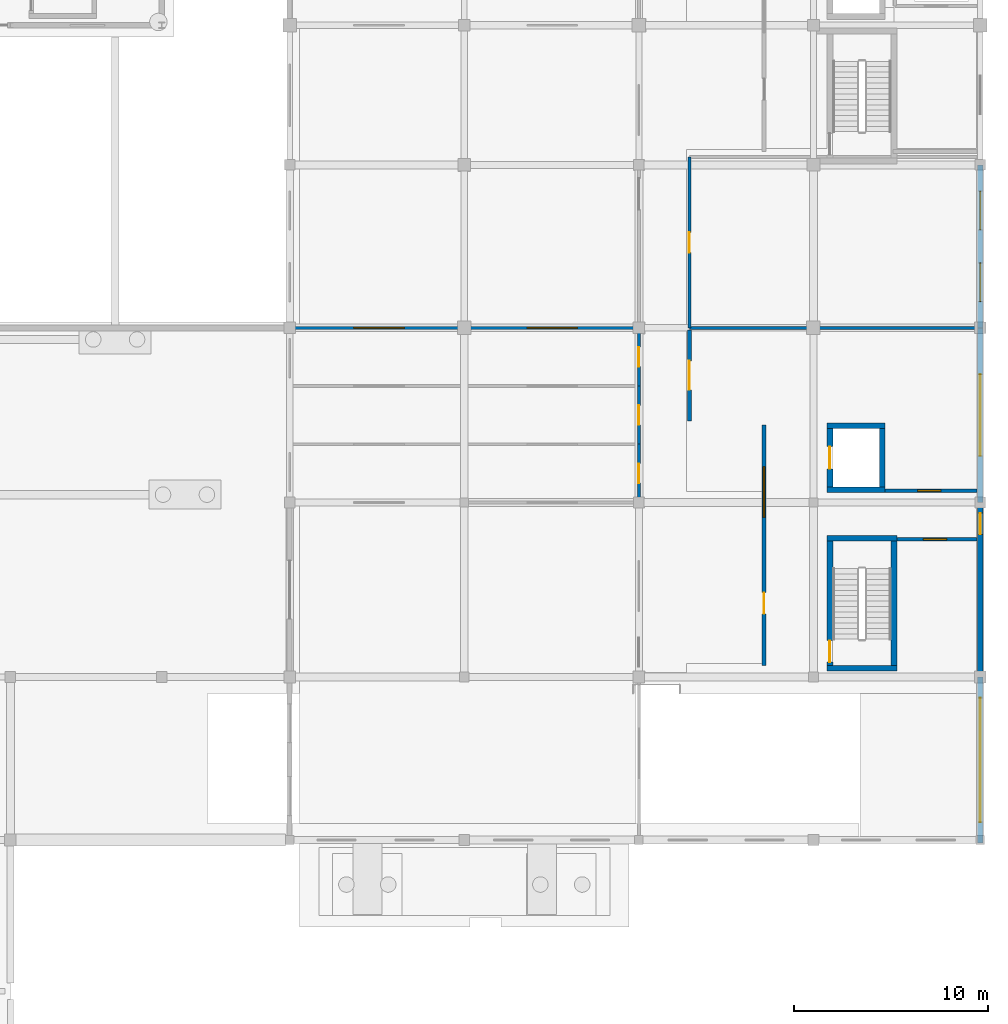
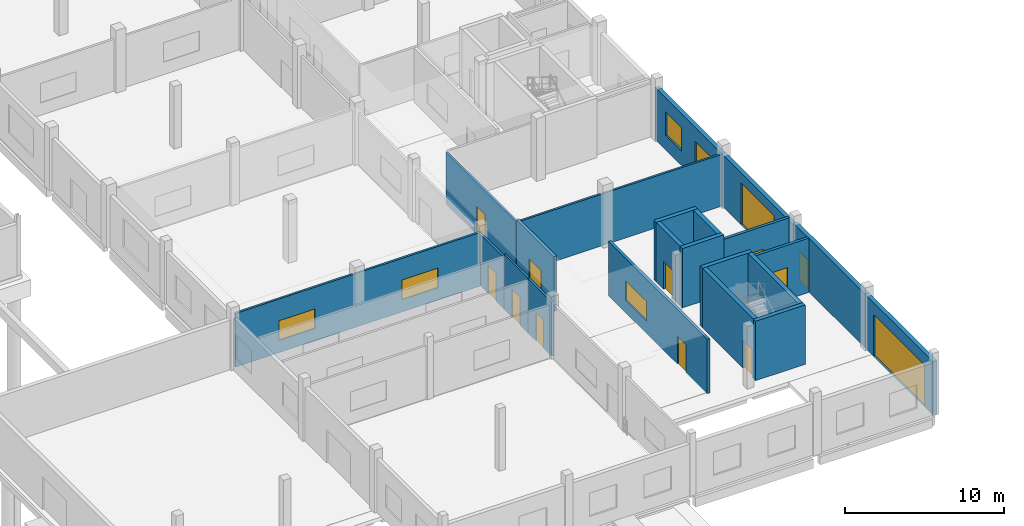
# One storey, part 74 of 91: 22 walls, 11 doors, 7 windows, 18 openings.
"""IFC4 building model written with IfcOpenShell, lengths in metres."""

from ifc_helpers import new_model, si_unit, direction, frame, frame_2d, origin, place, context, subcontext, project, spatial, rectangle, extrude, material, layer, layer_set, type_object, element, fill, save


model = new_model("IFC4")

# Units and contexts
model_context = context("Model", 3, precision=1e-05, world=origin(), true_north=direction((0.0, 1.0)))
body_context = subcontext(model_context, "Body", "Model", "MODEL_VIEW")
ifc_project = project(units=[si_unit("LENGTHUNIT", "METRE"), si_unit("AREAUNIT", "SQUARE_METRE"), si_unit("VOLUMEUNIT", "CUBIC_METRE"), si_unit("PLANEANGLEUNIT", "RADIAN"), si_unit("MASSUNIT", "GRAM", prefix="KILO")], contexts=[model_context])

# Site, building, storey
site_placement = place(None, origin())
site = spatial("IfcSite", under=ifc_project, at=site_placement, CompositionType="ELEMENT")
building_placement = place(site_placement, origin())
building = spatial("IfcBuilding", under=site, at=building_placement, Name="Vinh Khe Railworks Police Headquarters", CompositionType="ELEMENT")
storey_placement = place(building_placement, origin())
storey = spatial("IfcBuildingStorey", under=building, at=storey_placement, Name="L00", CompositionType="ELEMENT", Elevation=0.0)

# Walls
ifc_material_1 = material(Name="Concrete C40/50 (B40)", Category="concrete")
ifc_layer_1 = layer(ifc_material_1, 0.300048828125)
ifc_layer_set_1 = layer_set([ifc_layer_1], Name="Concrete C40/50 (B40)")
wall_type_1 = type_object("IfcWallType", Name="Core Shear Wall 300", PredefinedType="SHEAR", material=ifc_layer_set_1)
for number, where, z_axis, x_axis, name in (
    (1, (105.699951171875, 104.85009765625, 0.0), (0.0, 0.0, 1.0), (1.0, 0.0, 0.0), "Core C4 STAIR-S Shear Wall (L00)"),
    (2, (105.699951171875, 111.550048828125, 0.0), (0.0, 0.0, 1.0), (1.0, 0.0, 0.0), "Core C4 STAIR-N Shear Wall (L00)"),
):
    element("IfcWall", number, at=place(storey_placement, frame(where, z_axis=z_axis, x_axis=x_axis)), inside=storey, type_object=wall_type_1, Name=name, PredefinedType="SHEAR", context=body_context, shape_type="SweptSolid", body=[
        extrude(rectangle(XDim=3.60009765625, YDim=0.300048828125, at=frame_2d((1.800048828125, 0.0))), origin(), (0.0, 0.0, 1.0), 4.56005859375),
    ])

# Wall, opening, door
wall_1_placement = place(storey_placement, frame((105.85009765625, 105.0, 0.0), z_axis=(0.0, 0.0, 1.0), x_axis=(0.0, 1.0, 0.0)))
wall_1 = element("IfcWall", 3, at=wall_1_placement, inside=storey, type_object=wall_type_1, Name="Core C4 STAIR-W Shear Wall (L00)", PredefinedType="SHEAR", context=body_context, shape_type="SweptSolid", body=[
    extrude(rectangle(XDim=6.39990234375, YDim=0.300048828125, at=frame_2d((3.199951171875, 0.0))), origin(), (0.0, 0.0, 1.0), 4.56005859375),
])
opening_1_placement = place(wall_1_placement, frame((0.169921875, 0.0, 0.0)))
opening_1 = element("IfcOpeningElement", 4, at=opening_1_placement, cuts=wall_1, Name="Opening FD-01", PredefinedType="OPENING", context=body_context, shape_type="SweptSolid", body=[
    extrude(rectangle(XDim=1.10009765625, YDim=2.14990234375, at=frame_2d((0.550048828125, 1.074951171875))), frame((0.0, 0.1650390625, 0.0), z_axis=(0.0, -1.0, 0.0), x_axis=(1.0, 0.0, 0.0)), (0.0, 0.0, 1.0), 0.329833984375),
])
ifc_material_2 = material(Name="Painted galvanised steel", Category="steel")
door_type_1 = type_object("IfcDoorType", Name="FD-1100x2150", OperationType="NOTDEFINED", PredefinedType="DOOR", material=ifc_material_2)
door_1_placement = place(opening_1_placement, origin())
door_1 = element("IfcDoor", 5, at=door_1_placement, inside=storey, type_object=door_type_1, Name="Escape Stair ST-04 Fire Door L00", OperationType="SINGLE_SWING_RIGHT", OverallHeight=2.14990234375, OverallWidth=1.10009765625, PredefinedType="DOOR", context=body_context, shape_type="SweptSolid", body=[
    extrude(rectangle(XDim=1.10009765625, YDim=2.14990234375, at=frame_2d((0.550048828125, 1.074951171875))), frame((0.0, 0.02490234375, 0.0), z_axis=(0.0, -1.0, 0.0), x_axis=(1.0, 0.0, 0.0)), (0.0, 0.0, 1.0), 0.050048828125),
])
fill(opening_1, door_1)

# Walls
wall_2_placement = place(storey_placement, frame((109.14990234375, 105.0, 0.0), z_axis=(0.0, 0.0, 1.0), x_axis=(0.0, 1.0, 0.0)))
element("IfcWall", 6, at=wall_2_placement, inside=storey, type_object=wall_type_1, Name="Core C4 STAIR-E Shear Wall (L00)", PredefinedType="SHEAR", context=body_context, shape_type="SweptSolid", body=[
    extrude(rectangle(XDim=6.39990234375, YDim=0.300048828125, at=frame_2d((3.199951171875, 0.0))), origin(), (0.0, 0.0, 1.0), 4.56005859375),
])
for number, where, z_axis, x_axis, name in (
    (7, (105.699951171875, 114.050048828125, 0.0), (0.0, 0.0, 1.0), (1.0, 0.0, 0.0), "Core C4 PL-S Lift Shaft Wall (L00)"),
    (8, (105.699951171875, 117.35009765625, 0.0), (0.0, 0.0, 1.0), (1.0, 0.0, 0.0), "Core C4 PL-N Lift Shaft Wall (L00)"),
):
    element("IfcWall", number, at=place(storey_placement, frame(where, z_axis=z_axis, x_axis=x_axis)), inside=storey, type_object=wall_type_1, Name=name, PredefinedType="SHEAR", context=body_context, shape_type="SweptSolid", body=[
        extrude(rectangle(XDim=3.0, YDim=0.300048828125, at=frame_2d((1.5, 0.0))), origin(), (0.0, 0.0, 1.0), 4.56005859375),
    ])

# Wall, opening, door
wall_3_placement = place(storey_placement, frame((105.85009765625, 114.199951171875, 0.0), z_axis=(0.0, 0.0, 1.0), x_axis=(0.0, 1.0, 0.0)))
wall_3 = element("IfcWall", 9, at=wall_3_placement, inside=storey, type_object=wall_type_1, Name="Core C4 PL-W Lift Shaft Wall (L00)", PredefinedType="SHEAR", context=body_context, shape_type="SweptSolid", body=[
    extrude(rectangle(XDim=3.0, YDim=0.300048828125, at=frame_2d((1.5, 0.0))), origin(), (0.0, 0.0, 1.0), 4.56005859375),
])
opening_2_placement = place(wall_3_placement, frame((0.925048828125, 0.0, 0.0)))
opening_2 = element("IfcOpeningElement", 10, at=opening_2_placement, cuts=wall_3, Name="Opening LD-03", PredefinedType="OPENING", context=body_context, shape_type="SweptSolid", body=[
    extrude(rectangle(XDim=1.14990234375, YDim=2.14990234375, at=frame_2d((0.574951171875, 1.074951171875))), frame((0.0, 0.1650390625, 0.0), z_axis=(0.0, -1.0, 0.0), x_axis=(1.0, 0.0, 0.0)), (0.0, 0.0, 1.0), 0.329833984375),
])
door_type_2 = type_object("IfcDoorType", Name="LD-CUST-1150", OperationType="SLIDING_TO_LEFT", PredefinedType="DOOR", material=ifc_material_2)
door_2_placement = place(opening_2_placement, origin())
door_2 = element("IfcDoor", 11, at=door_2_placement, inside=storey, type_object=door_type_2, Name="Lift Landing Door CL-01 L00", OperationType="SLIDING_TO_LEFT", OverallHeight=2.14990234375, OverallWidth=1.14990234375, PredefinedType="DOOR", context=body_context, shape_type="SweptSolid", body=[
    extrude(rectangle(XDim=1.14990234375, YDim=2.14990234375, at=frame_2d((0.574951171875, 1.074951171875))), frame((0.0, 0.02490234375, 0.0), z_axis=(0.0, -1.0, 0.0), x_axis=(1.0, 0.0, 0.0)), (0.0, 0.0, 1.0), 0.050048828125),
])
fill(opening_2, door_2)

# Wall
wall_4_placement = place(storey_placement, frame((108.550048828125, 114.199951171875, 0.0), z_axis=(0.0, 0.0, 1.0), x_axis=(0.0, 1.0, 0.0)))
element("IfcWall", 12, at=wall_4_placement, inside=storey, type_object=wall_type_1, Name="Core C4 PL-E Lift Shaft Wall (L00)", PredefinedType="SHEAR", context=body_context, shape_type="SweptSolid", body=[
    extrude(rectangle(XDim=3.0, YDim=0.300048828125, at=frame_2d((1.5, 0.0))), origin(), (0.0, 0.0, 1.0), 4.56005859375),
])

# Wall, opening, door
ifc_material_3 = material(Name="Clay brickwork", Category="masonry")
ifc_layer_2 = layer(ifc_material_3, 0.300048828125)
ifc_layer_set_2 = layer_set([ifc_layer_2], Name="Clay brickwork")
wall_type_2 = type_object("IfcWallType", Name="EW-BRK-300", PredefinedType="SOLIDWALL", material=ifc_layer_set_2)
wall_5_placement = place(storey_placement, frame((113.60009765625, 95.85009765625, 0.0), z_axis=(0.0, 0.0, 1.0), x_axis=(0.0, 1.0, 0.0)))
wall_5 = element("IfcWall", 13, at=wall_5_placement, inside=storey, type_object=wall_type_2, Name="Exterior Brick Wall EW-L00-V6E-01", PredefinedType="SOLIDWALL", context=body_context, shape_type="SweptSolid", body=[
    extrude(rectangle(XDim=8.5498046875, YDim=0.300048828125, at=frame_2d((4.27490234375, 0.0))), origin(), (0.0, 0.0, 1.0), 4.114990234375),
])
opening_3_placement = place(wall_5_placement, frame((1.074951171875, 0.0, 0.0)))
opening_3 = element("IfcOpeningElement", 14, at=opening_3_placement, cuts=wall_5, Name="Opening VG-01", PredefinedType="OPENING", context=body_context, shape_type="SweptSolid", body=[
    extrude(rectangle(XDim=6.39990234375, YDim=3.199951171875, at=frame_2d((3.199951171875, 1.60009765625))), frame((0.0, 0.1650390625, 0.0), z_axis=(0.0, -1.0, 0.0), x_axis=(1.0, 0.0, 0.0)), (0.0, 0.0, 1.0), 0.329833984375),
])
ifc_material_4 = material(Name="Perforated galvanised steel roller shutter", Category="steel")
door_type_3 = type_object("IfcDoorType", Name="VG-RAMP-6400", OperationType="ROLLINGUP", PredefinedType="GATE", material=ifc_material_4)
door_3_placement = place(opening_3_placement, frame((6.39990234375, 0.0, 0.0), z_axis=(0.0, 0.0, 1.0), x_axis=(-1.0, 0.0, 0.0)))
door_3 = element("IfcDoor", 15, at=door_3_placement, inside=storey, type_object=door_type_3, Name="Secure Vehicle Ramp Roller Shutter Gate VG-01", OperationType="ROLLINGUP", OverallHeight=3.199951171875, OverallWidth=6.39990234375, PredefinedType="GATE", context=body_context, shape_type="SweptSolid", body=[
    extrude(rectangle(XDim=6.39990234375, YDim=3.199951171875, at=frame_2d((3.199951171875, 1.60009765625))), frame((0.0, 0.02490234375, 0.0), z_axis=(0.0, -1.0, 0.0), x_axis=(1.0, 0.0, 0.0)), (0.0, 0.0, 1.0), 0.050048828125),
])
fill(opening_3, door_3)

wall_6_placement = place(storey_placement, frame((113.60009765625, 104.39990234375, 0.0), z_axis=(0.0, 0.0, 1.0), x_axis=(0.0, 1.0, 0.0)))
wall_6 = element("IfcWall", 16, at=wall_6_placement, inside=storey, type_object=wall_type_2, Name="Exterior Brick Wall EW-L00-V6E-02", PredefinedType="SOLIDWALL", context=body_context, shape_type="SweptSolid", body=[
    extrude(rectangle(XDim=9.0, YDim=0.300048828125, at=frame_2d((4.5, 0.0))), origin(), (0.0, 0.0, 1.0), 4.114990234375),
])
opening_4_placement = place(wall_6_placement, frame((7.35009765625, 0.0, 0.0)))
opening_4 = element("IfcOpeningElement", 17, at=opening_4_placement, cuts=wall_6, Name="Opening ED-02", PredefinedType="OPENING", context=body_context, shape_type="SweptSolid", body=[
    extrude(rectangle(XDim=1.10009765625, YDim=2.199951171875, at=frame_2d((0.550048828125, 1.10009765625))), frame((0.0, 0.1650390625, 0.0), z_axis=(0.0, -1.0, 0.0), x_axis=(1.0, 0.0, 0.0)), (0.0, 0.0, 1.0), 0.329833984375),
])
ifc_material_5 = material(Name="Painted galvanised steel leaf", Category="steel")
door_type_4 = type_object("IfcDoorType", Name="ED-FCR-1100", OperationType="NOTDEFINED", PredefinedType="DOOR", material=ifc_material_5)
door_4_placement = place(opening_4_placement, frame((1.10009765625, 0.0, 0.0), z_axis=(0.0, 0.0, 1.0), x_axis=(-1.0, 0.0, 0.0)))
door_4 = element("IfcDoor", 18, at=door_4_placement, inside=storey, type_object=door_type_4, Name="Custody Core C4 Final Exit Door", OperationType="SINGLE_SWING_LEFT", OverallHeight=2.199951171875, OverallWidth=1.10009765625, PredefinedType="DOOR", context=body_context, shape_type="SweptSolid", body=[
    extrude(rectangle(XDim=1.10009765625, YDim=2.199951171875, at=frame_2d((0.550048828125, 1.10009765625))), frame((0.0, 0.02490234375, 0.0), z_axis=(0.0, -1.0, 0.0), x_axis=(1.0, 0.0, 0.0)), (0.0, 0.0, 1.0), 0.050048828125),
])
fill(opening_4, door_4)

wall_7_placement = place(storey_placement, frame((113.60009765625, 113.39990234375, 0.0), z_axis=(0.0, 0.0, 1.0), x_axis=(0.0, 1.0, 0.0)))
wall_7 = element("IfcWall", 19, at=wall_7_placement, inside=storey, type_object=wall_type_2, Name="Exterior Brick Wall EW-L00-V6E-03", PredefinedType="SOLIDWALL", context=body_context, shape_type="SweptSolid", body=[
    extrude(rectangle(XDim=9.0, YDim=0.300048828125, at=frame_2d((4.5, 0.0))), origin(), (0.0, 0.0, 1.0), 3.965087890625),
])
opening_5_placement = place(wall_7_placement, frame((2.39990234375, 0.0, 0.0)))
opening_5 = element("IfcOpeningElement", 20, at=opening_5_placement, cuts=wall_7, Name="Opening VG-02", PredefinedType="OPENING", context=body_context, shape_type="SweptSolid", body=[
    extrude(rectangle(XDim=4.199951171875, YDim=3.199951171875, at=frame_2d((2.10009765625, 1.60009765625))), frame((0.0, 0.1650390625, 0.0), z_axis=(0.0, -1.0, 0.0), x_axis=(1.0, 0.0, 0.0)), (0.0, 0.0, 1.0), 0.329833984375),
])
ifc_material_6 = material(Name="Heavy-duty ballistic steel sally-port roller gate", Category="steel")
door_type_5 = type_object("IfcDoorType", Name="VG-SALLY-4200", OperationType="ROLLINGUP", PredefinedType="GATE", material=ifc_material_6)
door_5_placement = place(opening_5_placement, frame((4.199951171875, 0.0, 0.0), z_axis=(0.0, 0.0, 1.0), x_axis=(-1.0, 0.0, 0.0)))
door_5 = element("IfcDoor", 21, at=door_5_placement, inside=storey, type_object=door_type_5, Name="Sally Port Vehicle Entry Roller Gate VG-02", OperationType="ROLLINGUP", OverallHeight=3.199951171875, OverallWidth=4.199951171875, PredefinedType="GATE", context=body_context, shape_type="SweptSolid", body=[
    extrude(rectangle(XDim=4.199951171875, YDim=3.199951171875, at=frame_2d((2.10009765625, 1.60009765625))), frame((0.0, 0.02490234375, 0.0), z_axis=(0.0, -1.0, 0.0), x_axis=(1.0, 0.0, 0.0)), (0.0, 0.0, 1.0), 0.050048828125),
])
fill(opening_5, door_5)

# Wall, openings, windows
wall_8_placement = place(storey_placement, frame((113.60009765625, 122.39990234375, 0.0), z_axis=(0.0, 0.0, 1.0), x_axis=(0.0, 1.0, 0.0)))
wall_8 = element("IfcWall", 22, at=wall_8_placement, inside=storey, type_object=wall_type_2, Name="Exterior Brick Wall EW-L00-V6E-04", PredefinedType="SOLIDWALL", context=body_context, shape_type="SweptSolid", body=[
    extrude(rectangle(XDim=8.400146484375, YDim=0.300048828125, at=frame_2d((4.2001953125, 0.0))), origin(), (0.0, 0.0, 1.0), 3.965087890625),
])
opening_6_placement = place(wall_8_placement, frame((1.35205078125, 0.0, 1.10009765625)))
opening_6 = element("IfcOpeningElement", 23, at=opening_6_placement, cuts=wall_8, Name="Opening WN-04", PredefinedType="OPENING", context=body_context, shape_type="SweptSolid", body=[
    extrude(rectangle(XDim=2.0, YDim=1.800048828125, at=frame_2d((1.0, 0.89990234375))), frame((0.0, 0.1650390625, 0.0), z_axis=(0.0, -1.0, 0.0), x_axis=(1.0, 0.0, 0.0)), (0.0, 0.0, 1.0), 0.329833984375),
])
opening_7_placement = place(wall_8_placement, frame((5.048095703125, 0.0, 1.10009765625)))
opening_7 = element("IfcOpeningElement", 24, at=opening_7_placement, cuts=wall_8, Name="Opening WN-04", PredefinedType="OPENING", context=body_context, shape_type="SweptSolid", body=[
    extrude(rectangle(XDim=2.0, YDim=1.800048828125, at=frame_2d((1.0, 0.89990234375))), frame((0.0, 0.1650390625, 0.0), z_axis=(0.0, -1.0, 0.0), x_axis=(1.0, 0.0, 0.0)), (0.0, 0.0, 1.0), 0.329833984375),
])
ifc_material_7 = material(Name="Double-glazed solar-control glass in dark steel frame", Category="steel")
window_type_1 = type_object("IfcWindowType", Name="WIN-WN-04", PartitioningType="DOUBLE_PANEL_VERTICAL", PredefinedType="WINDOW", material=ifc_material_7)
window_1_placement = place(opening_6_placement, origin())
window_1 = element("IfcWindow", 25, at=window_1_placement, inside=storey, type_object=window_type_1, Name="Casement Window WN-04", OverallHeight=1.800048828125, OverallWidth=2.0, PartitioningType="SINGLE_PANEL", PredefinedType="WINDOW", context=body_context, shape_type="SweptSolid", body=[
    extrude(rectangle(XDim=2.0, YDim=1.800048828125, at=frame_2d((1.0, 0.89990234375))), frame((0.0, 0.030029296875, 0.0), z_axis=(0.0, -1.0, 0.0), x_axis=(1.0, 0.0, 0.0)), (0.0, 0.0, 1.0), 0.06005859375),
])
fill(opening_6, window_1)
window_2_placement = place(opening_7_placement, origin())
window_2 = element("IfcWindow", 26, at=window_2_placement, inside=storey, type_object=window_type_1, Name="Casement Window WN-04", OverallHeight=1.800048828125, OverallWidth=2.0, PartitioningType="SINGLE_PANEL", PredefinedType="WINDOW", context=body_context, shape_type="SweptSolid", body=[
    extrude(rectangle(XDim=2.0, YDim=1.800048828125, at=frame_2d((1.0, 0.89990234375))), frame((0.0, 0.030029296875, 0.0), z_axis=(0.0, -1.0, 0.0), x_axis=(1.0, 0.0, 0.0)), (0.0, 0.0, 1.0), 0.06005859375),
])
fill(opening_7, window_2)

# Wall, openings, door, window
ifc_material_8 = material(Name="Autoclaved aerated concrete blockwork", Category="masonry")
ifc_layer_3 = layer(ifc_material_8, 0.199951171875)
ifc_layer_set_3 = layer_set([ifc_layer_3], Name="Autoclaved aerated concrete blockwork")
wall_type_3 = type_object("IfcWallType", Name="IW-BLK-200", PredefinedType="PARTITIONING", material=ifc_layer_set_3)
wall_9_placement = place(storey_placement, frame((102.449951171875, 105.0, 0.0), z_axis=(0.0, 0.0, 1.0), x_axis=(0.0, 1.0, 0.0)))
wall_9 = element("IfcWall", 27, at=wall_9_placement, inside=storey, type_object=wall_type_3, Name="Interior Partition W-C4LOB-W-L00", PredefinedType="PARTITIONING", context=body_context, shape_type="SweptSolid", body=[
    extrude(rectangle(XDim=12.39990234375, YDim=0.199951171875, at=frame_2d((6.199951171875, 0.0))), origin(), (0.0, 0.0, 1.0), 4.1650390625),
])
opening_8_placement = place(wall_9_placement, frame((2.64990234375, 0.0, 0.0)))
opening_8 = element("IfcOpeningElement", 28, at=opening_8_placement, cuts=wall_9, Name="Opening FD-01", PredefinedType="OPENING", context=body_context, shape_type="SweptSolid", body=[
    extrude(rectangle(XDim=1.10009765625, YDim=2.14990234375, at=frame_2d((0.550048828125, 1.074951171875))), frame((0.0, 0.11474609375, 0.0), z_axis=(0.0, -1.0, 0.0), x_axis=(1.0, 0.0, 0.0)), (0.0, 0.0, 1.0), 0.229736328125),
])
opening_9_placement = place(wall_9_placement, frame((7.6279296875, 0.0, 0.949951171875)))
opening_9 = element("IfcOpeningElement", 29, at=opening_9_placement, cuts=wall_9, Name="Opening WN-07", PredefinedType="OPENING", context=body_context, shape_type="SweptSolid", body=[
    extrude(rectangle(XDim=2.60009765625, YDim=1.5, at=frame_2d((1.300048828125, 0.75))), frame((0.0, 0.11474609375, 0.0), z_axis=(0.0, -1.0, 0.0), x_axis=(1.0, 0.0, 0.0)), (0.0, 0.0, 1.0), 0.229736328125),
])
door_6_placement = place(opening_8_placement, origin())
door_6 = element("IfcDoor", 30, at=door_6_placement, inside=storey, type_object=door_type_1, Name="Custody Stair Lobby Fire Door", OperationType="SINGLE_SWING_RIGHT", OverallHeight=2.14990234375, OverallWidth=1.10009765625, PredefinedType="DOOR", context=body_context, shape_type="SweptSolid", body=[
    extrude(rectangle(XDim=1.10009765625, YDim=2.14990234375, at=frame_2d((0.550048828125, 1.074951171875))), frame((0.0, 0.02490234375, 0.0), z_axis=(0.0, -1.0, 0.0), x_axis=(1.0, 0.0, 0.0)), (0.0, 0.0, 1.0), 0.050048828125),
])
fill(opening_8, door_6)
window_type_2 = type_object("IfcWindowType", Name="WIN-WN-07", PartitioningType="DOUBLE_PANEL_HORIZONTAL", PredefinedType="WINDOW", material=ifc_material_7)
window_3_placement = place(opening_9_placement, origin())
window_3 = element("IfcWindow", 31, at=window_3_placement, inside=storey, type_object=window_type_2, Name="Interior Acoustic Vision Window WN-07", OverallHeight=1.5, OverallWidth=2.60009765625, PartitioningType="SINGLE_PANEL", PredefinedType="WINDOW", context=body_context, shape_type="SweptSolid", body=[
    extrude(rectangle(XDim=2.60009765625, YDim=1.5, at=frame_2d((1.300048828125, 0.75))), frame((0.0, 0.030029296875, 0.0), z_axis=(0.0, -1.0, 0.0), x_axis=(1.0, 0.0, 0.0)), (0.0, 0.0, 1.0), 0.06005859375),
])
fill(opening_9, window_3)

# Wall, opening, window
wall_10_placement = place(storey_placement, frame((108.5, 114.0, 0.0), z_axis=(0.0, 0.0, 1.0), x_axis=(1.0, 0.0, 0.0)))
wall_10 = element("IfcWall", 32, at=wall_10_placement, inside=storey, type_object=wall_type_3, Name="Interior Partition W-C4PASS-N-L00", PredefinedType="PARTITIONING", context=body_context, shape_type="SweptSolid", body=[
    extrude(rectangle(XDim=4.93994140625, YDim=0.199951171875, at=frame_2d((2.469970703125, 0.0))), origin(), (0.0, 0.0, 1.0), 4.205078125),
])
opening_10_placement = place(wall_10_placement, frame((1.8701171875, 0.0, 0.949951171875)))
opening_10 = element("IfcOpeningElement", 33, at=opening_10_placement, cuts=wall_10, Name="Opening WN-10", PredefinedType="OPENING", context=body_context, shape_type="SweptSolid", body=[
    extrude(rectangle(XDim=1.199951171875, YDim=1.5, at=frame_2d((0.60009765625, 0.75))), frame((0.0, 0.11474609375, 0.0), z_axis=(0.0, -1.0, 0.0), x_axis=(1.0, 0.0, 0.0)), (0.0, 0.0, 1.0), 0.229736328125),
])
window_type_3 = type_object("IfcWindowType", Name="WIN-WN-10", PartitioningType="SINGLE_PANEL", PredefinedType="WINDOW", material=ifc_material_7)
window_4_placement = place(opening_10_placement, origin())
window_4 = element("IfcWindow", 34, at=window_4_placement, inside=storey, type_object=window_type_3, Name="Interior Acoustic Vision Window WN-10", OverallHeight=1.5, OverallWidth=1.199951171875, PartitioningType="SINGLE_PANEL", PredefinedType="WINDOW", context=body_context, shape_type="SweptSolid", body=[
    extrude(rectangle(XDim=1.199951171875, YDim=1.5, at=frame_2d((0.60009765625, 0.75))), frame((0.0, 0.030029296875, 0.0), z_axis=(0.0, -1.0, 0.0), x_axis=(1.0, 0.0, 0.0)), (0.0, 0.0, 1.0), 0.06005859375),
])
fill(opening_10, window_4)

wall_11_placement = place(storey_placement, frame((109.10009765625, 111.5, 0.0), z_axis=(0.0, 0.0, 1.0), x_axis=(1.0, 0.0, 0.0)))
wall_11 = element("IfcWall", 35, at=wall_11_placement, inside=storey, type_object=wall_type_3, Name="Interior Partition W-C4PASS-S-L00", PredefinedType="PARTITIONING", context=body_context, shape_type="SweptSolid", body=[
    extrude(rectangle(XDim=4.33984375, YDim=0.199951171875, at=frame_2d((2.169921875, 0.0))), origin(), (0.0, 0.0, 1.0), 4.1650390625),
])
opening_11_placement = place(wall_11_placement, frame((1.570068359375, 0.0, 0.949951171875)))
opening_11 = element("IfcOpeningElement", 36, at=opening_11_placement, cuts=wall_11, Name="Opening WN-10", PredefinedType="OPENING", context=body_context, shape_type="SweptSolid", body=[
    extrude(rectangle(XDim=1.199951171875, YDim=1.5, at=frame_2d((0.60009765625, 0.75))), frame((0.0, 0.11474609375, 0.0), z_axis=(0.0, -1.0, 0.0), x_axis=(1.0, 0.0, 0.0)), (0.0, 0.0, 1.0), 0.229736328125),
])
window_5_placement = place(opening_11_placement, origin())
window_5 = element("IfcWindow", 37, at=window_5_placement, inside=storey, type_object=window_type_3, Name="Interior Acoustic Vision Window WN-10", OverallHeight=1.5, OverallWidth=1.199951171875, PartitioningType="SINGLE_PANEL", PredefinedType="WINDOW", context=body_context, shape_type="SweptSolid", body=[
    extrude(rectangle(XDim=1.199951171875, YDim=1.5, at=frame_2d((0.60009765625, 0.75))), frame((0.0, 0.030029296875, 0.0), z_axis=(0.0, -1.0, 0.0), x_axis=(1.0, 0.0, 0.0)), (0.0, 0.0, 1.0), 0.06005859375),
])
fill(opening_11, window_5)

# Wall, opening, door
wall_12_placement = place(storey_placement, frame((98.60009765625, 117.60009765625, 0.0), z_axis=(0.0, 0.0, 1.0), x_axis=(0.0, 1.0, 0.0)))
wall_12 = element("IfcWall", 38, at=wall_12_placement, inside=storey, type_object=wall_type_3, Name="Interior Partition W-L00-SALLY-W", PredefinedType="PARTITIONING", context=body_context, shape_type="SweptSolid", body=[
    extrude(rectangle(XDim=4.699951171875, YDim=0.199951171875, at=frame_2d((2.35009765625, 0.0))), origin(), (0.0, 0.0, 1.0), 4.205078125),
])
opening_12_placement = place(wall_12_placement, frame((1.60009765625, 0.0, 0.0)))
opening_12 = element("IfcOpeningElement", 39, at=opening_12_placement, cuts=wall_12, Name="Opening FD-02", PredefinedType="OPENING", context=body_context, shape_type="SweptSolid", body=[
    extrude(rectangle(XDim=1.5, YDim=2.14990234375, at=frame_2d((0.75, 1.074951171875))), frame((0.0, 0.11474609375, 0.0), z_axis=(0.0, -1.0, 0.0), x_axis=(1.0, 0.0, 0.0)), (0.0, 0.0, 1.0), 0.229736328125),
])
door_type_6 = type_object("IfcDoorType", Name="FD-1500x2150", OperationType="DOUBLE_DOOR_SINGLE_SWING", PredefinedType="DOOR", material=ifc_material_2)
door_7_placement = place(opening_12_placement, origin())
door_7 = element("IfcDoor", 40, at=door_7_placement, inside=storey, type_object=door_type_6, Name="Sally Port Airlock Fire Door", OperationType="DOUBLE_DOOR_SINGLE_SWING", OverallHeight=2.14990234375, OverallWidth=1.5, PredefinedType="DOOR", context=body_context, shape_type="SweptSolid", body=[
    extrude(rectangle(XDim=1.5, YDim=2.14990234375, at=frame_2d((0.75, 1.074951171875))), frame((0.0, 0.02490234375, 0.0), z_axis=(0.0, -1.0, 0.0), x_axis=(1.0, 0.0, 0.0)), (0.0, 0.0, 1.0), 0.050048828125),
])
fill(opening_12, door_7)

# Wall, openings, windows
ifc_material_9 = material(Name="Gypsum plasterboard on steel stud", Category="steel")
ifc_layer_4 = layer(ifc_material_9, 0.1201171875)
ifc_layer_set_4 = layer_set([ifc_layer_4], Name="Gypsum plasterboard on steel stud")
wall_type_4 = type_object("IfcWallType", Name="IW-PART-120", PredefinedType="PARTITIONING", material=ifc_layer_set_4)
wall_13_placement = place(storey_placement, frame((78.139892578125, 122.39990234375, 0.0), z_axis=(0.0, 0.0, 1.0), x_axis=(1.0, 0.0, 0.0)))
wall_13 = element("IfcWall", 41, at=wall_13_placement, inside=storey, type_object=wall_type_4, Name="Interior Partition W-L00-V6-FEVD-DIV", PredefinedType="PARTITIONING", context=body_context, shape_type="SweptSolid", body=[
    extrude(rectangle(XDim=17.860107421875, YDim=0.14990234375, at=frame_2d((8.93017578125, 0.0))), origin(), (0.0, 0.0, 1.0), 4.114990234375),
])
opening_13_placement = place(wall_13_placement, frame((3.1650390625, 0.0, 0.949951171875)))
opening_13 = element("IfcOpeningElement", 42, at=opening_13_placement, cuts=wall_13, Name="Opening WN-07", PredefinedType="OPENING", context=body_context, shape_type="SweptSolid", body=[
    extrude(rectangle(XDim=2.60009765625, YDim=1.5, at=frame_2d((1.300048828125, 0.75))), frame((0.0, 0.08984375, 0.0), z_axis=(0.0, -1.0, 0.0), x_axis=(1.0, 0.0, 0.0)), (0.0, 0.0, 1.0), 0.1796875),
])
opening_14_placement = place(wall_13_placement, frame((12.094970703125, 0.0, 0.949951171875)))
opening_14 = element("IfcOpeningElement", 43, at=opening_14_placement, cuts=wall_13, Name="Opening WN-07", PredefinedType="OPENING", context=body_context, shape_type="SweptSolid", body=[
    extrude(rectangle(XDim=2.60009765625, YDim=1.5, at=frame_2d((1.300048828125, 0.75))), frame((0.0, 0.08984375, 0.0), z_axis=(0.0, -1.0, 0.0), x_axis=(1.0, 0.0, 0.0)), (0.0, 0.0, 1.0), 0.1796875),
])
window_6_placement = place(opening_13_placement, origin())
window_6 = element("IfcWindow", 44, at=window_6_placement, inside=storey, type_object=window_type_2, Name="Interior Acoustic Vision Window WN-07", OverallHeight=1.5, OverallWidth=2.60009765625, PartitioningType="SINGLE_PANEL", PredefinedType="WINDOW", context=body_context, shape_type="SweptSolid", body=[
    extrude(rectangle(XDim=2.60009765625, YDim=1.5, at=frame_2d((1.300048828125, 0.75))), frame((0.0, 0.030029296875, 0.0), z_axis=(0.0, -1.0, 0.0), x_axis=(1.0, 0.0, 0.0)), (0.0, 0.0, 1.0), 0.06005859375),
])
fill(opening_13, window_6)
window_7_placement = place(opening_14_placement, origin())
window_7 = element("IfcWindow", 45, at=window_7_placement, inside=storey, type_object=window_type_2, Name="Interior Acoustic Vision Window WN-07", OverallHeight=1.5, OverallWidth=2.60009765625, PartitioningType="SINGLE_PANEL", PredefinedType="WINDOW", context=body_context, shape_type="SweptSolid", body=[
    extrude(rectangle(XDim=2.60009765625, YDim=1.5, at=frame_2d((1.300048828125, 0.75))), frame((0.0, 0.030029296875, 0.0), z_axis=(0.0, -1.0, 0.0), x_axis=(1.0, 0.0, 0.0)), (0.0, 0.0, 1.0), 0.06005859375),
])
fill(opening_14, window_7)

# Wall
wall_14_placement = place(storey_placement, frame((98.60009765625, 122.39990234375, 0.0), z_axis=(0.0, 0.0, 1.0), x_axis=(1.0, 0.0, 0.0)))
element("IfcWall", 46, at=wall_14_placement, inside=storey, type_object=wall_type_4, Name="Interior Partition W-L00-V6-DRY-DIV", PredefinedType="PARTITIONING", context=body_context, shape_type="SweptSolid", body=[
    extrude(rectangle(XDim=14.83984375, YDim=0.14990234375, at=frame_2d((7.419921875, 0.0))), origin(), (0.0, 0.0, 1.0), 3.965087890625),
])

# Wall, opening, door
ifc_material_10 = material(Name="Gypsum plasterboard on acoustic steel stud", Category="steel")
ifc_layer_5 = layer(ifc_material_10, 0.14990234375)
ifc_layer_set_5 = layer_set([ifc_layer_5], Name="Gypsum plasterboard on acoustic steel stud")
wall_type_5 = type_object("IfcWallType", Name="IW-PART-150", PredefinedType="PARTITIONING", material=ifc_layer_set_5)
wall_15_placement = place(storey_placement, frame((96.0, 113.39990234375, 0.0), z_axis=(0.0, 0.0, 1.0), x_axis=(0.0, 1.0, 0.0)))
wall_15 = element("IfcWall", 47, at=wall_15_placement, inside=storey, type_object=wall_type_5, Name="Interior Partition W-L00-V6-CELL1-CW", PredefinedType="PARTITIONING", context=body_context, shape_type="SweptSolid", body=[
    extrude(rectangle(XDim=3.0, YDim=0.14990234375, at=frame_2d((1.5, 0.0))), origin(), (0.0, 0.0, 1.0), 4.1650390625),
])
opening_15_placement = place(wall_15_placement, frame((1.0, 0.0, 0.0)))
opening_15 = element("IfcOpeningElement", 48, at=opening_15_placement, cuts=wall_15, Name="Opening FD-03", PredefinedType="OPENING", context=body_context, shape_type="SweptSolid", body=[
    extrude(rectangle(XDim=1.0, YDim=2.14990234375, at=frame_2d((0.5, 1.074951171875))), frame((0.0, 0.08984375, 0.0), z_axis=(0.0, -1.0, 0.0), x_axis=(1.0, 0.0, 0.0)), (0.0, 0.0, 1.0), 0.1796875),
])
door_type_7 = type_object("IfcDoorType", Name="FD-1000x2150", OperationType="NOTDEFINED", PredefinedType="DOOR", material=ifc_material_2)
door_8_placement = place(opening_15_placement, origin())
door_8 = element("IfcDoor", 49, at=door_8_placement, inside=storey, type_object=door_type_7, Name="Detention Cell 01 Door", OperationType="SINGLE_SWING_LEFT", OverallHeight=2.14990234375, OverallWidth=1.0, PredefinedType="DOOR", context=body_context, shape_type="SweptSolid", body=[
    extrude(rectangle(XDim=1.0, YDim=2.14990234375, at=frame_2d((0.5, 1.074951171875))), frame((0.0, 0.02490234375, 0.0), z_axis=(0.0, -1.0, 0.0), x_axis=(1.0, 0.0, 0.0)), (0.0, 0.0, 1.0), 0.050048828125),
])
fill(opening_15, door_8)

wall_16_placement = place(storey_placement, frame((96.0, 116.39990234375, 0.0), z_axis=(0.0, 0.0, 1.0), x_axis=(0.0, 1.0, 0.0)))
wall_16 = element("IfcWall", 50, at=wall_16_placement, inside=storey, type_object=wall_type_5, Name="Interior Partition W-L00-V6-CELL2-CW", PredefinedType="PARTITIONING", context=body_context, shape_type="SweptSolid", body=[
    extrude(rectangle(XDim=3.0, YDim=0.14990234375, at=frame_2d((1.5, 0.0))), origin(), (0.0, 0.0, 1.0), 4.205078125),
])
opening_16_placement = place(wall_16_placement, frame((1.0, 0.0, 0.0)))
opening_16 = element("IfcOpeningElement", 51, at=opening_16_placement, cuts=wall_16, Name="Opening FD-03", PredefinedType="OPENING", context=body_context, shape_type="SweptSolid", body=[
    extrude(rectangle(XDim=1.0, YDim=2.14990234375, at=frame_2d((0.5, 1.074951171875))), frame((0.0, 0.08984375, 0.0), z_axis=(0.0, -1.0, 0.0), x_axis=(1.0, 0.0, 0.0)), (0.0, 0.0, 1.0), 0.1796875),
])
door_9_placement = place(opening_16_placement, origin())
door_9 = element("IfcDoor", 52, at=door_9_placement, inside=storey, type_object=door_type_7, Name="Detention Cell 02 Door", OperationType="SINGLE_SWING_RIGHT", OverallHeight=2.14990234375, OverallWidth=1.0, PredefinedType="DOOR", context=body_context, shape_type="SweptSolid", body=[
    extrude(rectangle(XDim=1.0, YDim=2.14990234375, at=frame_2d((0.5, 1.074951171875))), frame((0.0, 0.02490234375, 0.0), z_axis=(0.0, -1.0, 0.0), x_axis=(1.0, 0.0, 0.0)), (0.0, 0.0, 1.0), 0.050048828125),
])
fill(opening_16, door_9)

wall_17_placement = place(storey_placement, frame((96.0, 119.39990234375, 0.0), z_axis=(0.0, 0.0, 1.0), x_axis=(0.0, 1.0, 0.0)))
wall_17 = element("IfcWall", 53, at=wall_17_placement, inside=storey, type_object=wall_type_5, Name="Interior Partition W-L00-V6-CELL3-CW", PredefinedType="PARTITIONING", context=body_context, shape_type="SweptSolid", body=[
    extrude(rectangle(XDim=3.0, YDim=0.14990234375, at=frame_2d((1.5, 0.0))), origin(), (0.0, 0.0, 1.0), 3.965087890625),
])
opening_17_placement = place(wall_17_placement, frame((1.0, 0.0, 0.0)))
opening_17 = element("IfcOpeningElement", 54, at=opening_17_placement, cuts=wall_17, Name="Opening FD-03", PredefinedType="OPENING", context=body_context, shape_type="SweptSolid", body=[
    extrude(rectangle(XDim=1.0, YDim=2.14990234375, at=frame_2d((0.5, 1.074951171875))), frame((0.0, 0.08984375, 0.0), z_axis=(0.0, -1.0, 0.0), x_axis=(1.0, 0.0, 0.0)), (0.0, 0.0, 1.0), 0.1796875),
])
door_10_placement = place(opening_17_placement, origin())
door_10 = element("IfcDoor", 55, at=door_10_placement, inside=storey, type_object=door_type_7, Name="Detention Cell 03 Door", OperationType="SINGLE_SWING_LEFT", OverallHeight=2.14990234375, OverallWidth=1.0, PredefinedType="DOOR", context=body_context, shape_type="SweptSolid", body=[
    extrude(rectangle(XDim=1.0, YDim=2.14990234375, at=frame_2d((0.5, 1.074951171875))), frame((0.0, 0.02490234375, 0.0), z_axis=(0.0, -1.0, 0.0), x_axis=(1.0, 0.0, 0.0)), (0.0, 0.0, 1.0), 0.050048828125),
])
fill(opening_17, door_10)

wall_18_placement = place(storey_placement, frame((98.60009765625, 122.39990234375, 0.0), z_axis=(0.0, 0.0, 1.0), x_axis=(0.0, 1.0, 0.0)))
wall_18 = element("IfcWall", 56, at=wall_18_placement, inside=storey, type_object=wall_type_5, Name="Interior Partition W-L00-V6-DRY-CE", PredefinedType="PARTITIONING", context=body_context, shape_type="SweptSolid", body=[
    extrude(rectangle(XDim=8.800048828125, YDim=0.14990234375, at=frame_2d((4.39990234375, 0.0))), origin(), (0.0, 0.0, 1.0), 3.965087890625),
])
opening_18_placement = place(wall_18_placement, frame((3.875, 0.0, 0.0)))
opening_18 = element("IfcOpeningElement", 57, at=opening_18_placement, cuts=wall_18, Name="Opening D-02", PredefinedType="OPENING", context=body_context, shape_type="SweptSolid", body=[
    extrude(rectangle(XDim=1.050048828125, YDim=2.14990234375, at=frame_2d((0.52490234375, 1.074951171875))), frame((0.0, 0.08984375, 0.0), z_axis=(0.0, -1.0, 0.0), x_axis=(1.0, 0.0, 0.0)), (0.0, 0.0, 1.0), 0.1796875),
])
ifc_material_11 = material(Name="Seasoned hardwood timber", Category="wood")
door_type_8 = type_object("IfcDoorType", Name="ID-1050x2150", OperationType="NOTDEFINED", PredefinedType="DOOR", material=ifc_material_11)
door_11_placement = place(opening_18_placement, origin())
door_11 = element("IfcDoor", 58, at=door_11_placement, inside=storey, type_object=door_type_8, Name="Exhibits Drying Laboratory Door", OperationType="SINGLE_SWING_RIGHT", OverallHeight=2.14990234375, OverallWidth=1.050048828125, PredefinedType="DOOR", context=body_context, shape_type="SweptSolid", body=[
    extrude(rectangle(XDim=1.050048828125, YDim=2.14990234375, at=frame_2d((0.52490234375, 1.074951171875))), frame((0.0, 0.02490234375, 0.0), z_axis=(0.0, -1.0, 0.0), x_axis=(1.0, 0.0, 0.0)), (0.0, 0.0, 1.0), 0.050048828125),
])
fill(opening_18, door_11)

save(model, "model.ifc")
